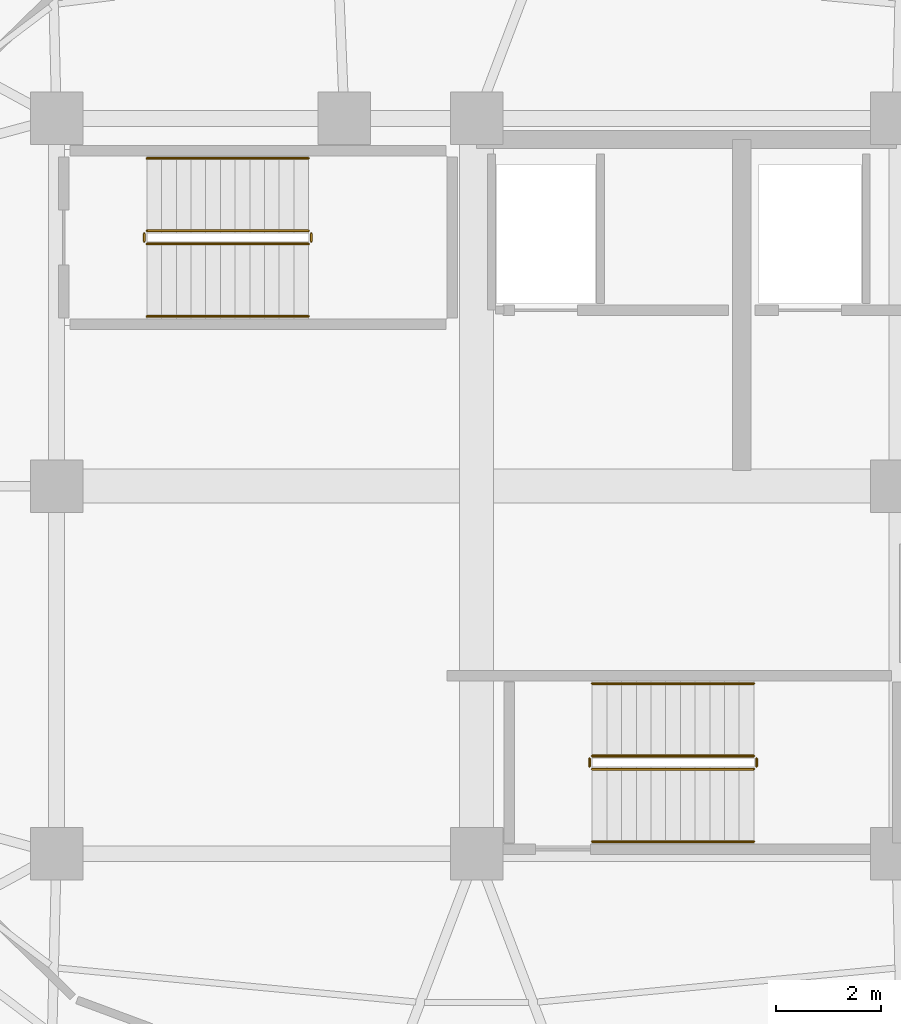
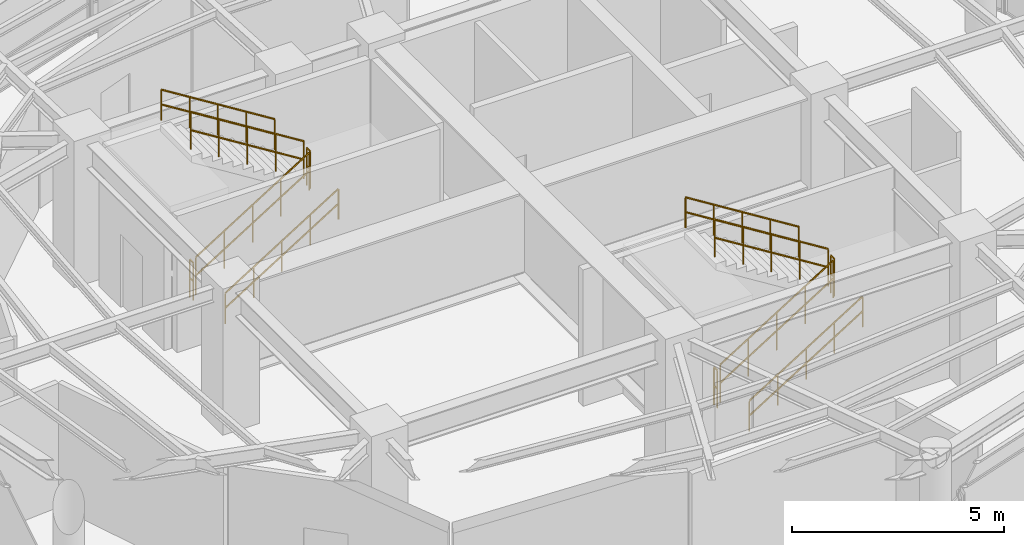
# One storey, part 19 of 19: 12 railings.
"""IFC4 building model written with IfcOpenShell, lengths in metres."""

from ifc_helpers import new_model, si_unit, direction, frame, origin, place, context, subcontext, project, spatial, polyline, outline, extrude, material, type_object, element, save


model = new_model("IFC4")

# Units and contexts
model_context = context("Model", 3, precision=1e-05, world=origin(), true_north=direction((0.0, 1.0)))
body_context = subcontext(model_context, "Body", "Model", "MODEL_VIEW")
ifc_project = project(units=[si_unit("LENGTHUNIT", "METRE"), si_unit("AREAUNIT", "SQUARE_METRE"), si_unit("VOLUMEUNIT", "CUBIC_METRE"), si_unit("PLANEANGLEUNIT", "RADIAN"), si_unit("MASSUNIT", "GRAM", prefix="KILO")], contexts=[model_context])

# Site, building, storey
site_placement = place(None, origin())
site = spatial("IfcSite", under=ifc_project, at=site_placement, CompositionType="ELEMENT")
building_placement = place(site_placement, origin())
building = spatial("IfcBuilding", under=site, at=building_placement, Name="Kelanora Arch Commons", CompositionType="ELEMENT")
storey_placement = place(building_placement, frame((0.0, 0.0, 306.89990234375)))
storey = spatial("IfcBuildingStorey", under=building, at=storey_placement, Name="L78", CompositionType="ELEMENT", Elevation=306.89990234375)

# Railings
ifc_material_1 = material(Name="Painted steel stair well guard", Category="steel")
railing_type_1 = type_object("IfcRailingType", Name="RAIL-STAIR-GRD", PredefinedType="GUARDRAIL", material=ifc_material_1)
railing_1_placement = place(storey_placement, frame((67.719970703125, 62.610107421875, 0.175048828125)))
element("IfcRailing", 1, at=railing_1_placement, inside=storey, type_object=railing_type_1, Name="L78 ST-T1 stair guard 1", PredefinedType="GUARDRAIL", context=body_context, shape_type="SweptSolid", body=[
    extrude(outline(polyline([(0.02392578125, 0.0), (0.011962890625, 0.020751953125), (-0.011962890625, 0.020751953125), (-0.02392578125, 0.0), (-0.011962890625, -0.020751953125), (0.011962890625, -0.020751953125), (0.02392578125, 0.0)])), frame((0.0, 0.0, 1.076171875), z_axis=(0.847998304005, 0.0, 0.529998940003), x_axis=(0.0, 1.0, 0.0)), (0.0, 0.0, 1.0), 3.632080078125),
    extrude(outline(polyline([(0.02392578125, 0.0), (0.011962890625, 0.020751953125), (-0.011962890625, 0.020751953125), (-0.02392578125, 0.0), (-0.011962890625, -0.020751953125), (0.011962890625, -0.020751953125), (0.02392578125, 0.0)])), frame((0.0, 0.0, 0.550048828125), z_axis=(0.847998304005, 0.0, 0.529998940003), x_axis=(0.0, 1.0, 0.0)), (0.0, 0.0, 1.0), 3.632080078125),
    extrude(outline(polyline([(0.02099609375, 0.0), (0.010498046875, 0.01806640625), (-0.010498046875, 0.01806640625), (-0.02099609375, 0.0), (-0.010498046875, -0.01806640625), (0.010498046875, -0.01806640625), (0.02099609375, 0.0)])), origin(), (0.0, 0.0, 1.0), 1.052001953125),
    extrude(outline(polyline([(0.02099609375, 0.0), (0.010498046875, 0.01806640625), (-0.010498046875, 0.01806640625), (-0.02099609375, 0.0), (-0.010498046875, -0.01806640625), (0.010498046875, -0.01806640625), (0.02099609375, 0.0)])), frame((0.77001953125, 0.0, 0.481201171875)), (0.0, 0.0, 1.0), 1.052001953125),
    extrude(outline(polyline([(0.02099609375, 0.0), (0.010498046875, 0.01806640625), (-0.010498046875, 0.01806640625), (-0.02099609375, 0.0), (-0.010498046875, -0.01806640625), (0.010498046875, -0.01806640625), (0.02099609375, 0.0)])), frame((1.5400390625, 0.0, 0.96240234375)), (0.0, 0.0, 1.0), 1.052001953125),
    extrude(outline(polyline([(0.02099609375, 0.0), (0.010498046875, 0.01806640625), (-0.010498046875, 0.01806640625), (-0.02099609375, 0.0), (-0.010498046875, -0.01806640625), (0.010498046875, -0.01806640625), (0.02099609375, 0.0)])), frame((2.31005859375, 0.0, 1.44384765625)), (0.0, 0.0, 1.0), 1.052001953125),
    extrude(outline(polyline([(0.02099609375, 0.0), (0.010498046875, 0.01806640625), (-0.010498046875, 0.01806640625), (-0.02099609375, 0.0), (-0.010498046875, -0.01806640625), (0.010498046875, -0.01806640625), (0.02099609375, 0.0)])), frame((3.080078125, 0.0, 1.925048828125)), (0.0, 0.0, 1.0), 1.052001953125),
])
railing_2_placement = place(storey_placement, frame((70.85009765625, 62.659912109375, 2.10009765625)))
element("IfcRailing", 2, at=railing_2_placement, inside=storey, type_object=railing_type_1, Name="L78 ST-T1 stair guard 2", PredefinedType="GUARDRAIL", context=body_context, shape_type="SweptSolid", body=[
    extrude(outline(polyline([(0.02392578125, 0.0), (0.011962890625, 0.020751953125), (-0.011962890625, 0.020751953125), (-0.02392578125, 0.0), (-0.011962890625, -0.020751953125), (0.011962890625, -0.020751953125), (0.02392578125, 0.0)])), frame((0.0, 0.0, 1.076171875), z_axis=(0.0, 1.0, 0.0), x_axis=(-1.0, 0.0, 0.0)), (0.0, 0.0, 1.0), 0.150146484375),
    extrude(outline(polyline([(0.02392578125, 0.0), (0.011962890625, 0.020751953125), (-0.011962890625, 0.020751953125), (-0.02392578125, 0.0), (-0.011962890625, -0.020751953125), (0.011962890625, -0.020751953125), (0.02392578125, 0.0)])), frame((0.0, 0.0, 0.550048828125), z_axis=(0.0, 1.0, 0.0), x_axis=(-1.0, 0.0, 0.0)), (0.0, 0.0, 1.0), 0.150146484375),
    extrude(outline(polyline([(0.02099609375, 0.0), (0.010498046875, 0.01806640625), (-0.010498046875, 0.01806640625), (-0.02099609375, 0.0), (-0.010498046875, -0.01806640625), (0.010498046875, -0.01806640625), (0.02099609375, 0.0)])), origin(), (0.0, 0.0, 1.0), 1.052001953125),
    extrude(outline(polyline([(0.02099609375, 0.0), (0.010498046875, 0.01806640625), (-0.010498046875, 0.01806640625), (-0.02099609375, 0.0), (-0.010498046875, -0.01806640625), (0.010498046875, -0.01806640625), (0.02099609375, 0.0)])), frame((0.0, 0.150146484375, 0.0)), (0.0, 0.0, 1.0), 1.052001953125),
])
railing_3_placement = place(storey_placement, frame((70.800048828125, 62.860107421875, 2.275146484375)))
element("IfcRailing", 3, at=railing_3_placement, inside=storey, type_object=railing_type_1, Name="L78 ST-T1 stair guard 3", PredefinedType="GUARDRAIL", context=body_context, shape_type="SweptSolid", body=[
    extrude(outline(polyline([(0.02392578125, 0.0), (0.011962890625, 0.020751953125), (-0.011962890625, 0.020751953125), (-0.02392578125, 0.0), (-0.011962890625, -0.020751953125), (0.011962890625, -0.020751953125), (0.02392578125, 0.0)])), frame((0.0, 0.0, 1.076171875), z_axis=(-0.847998304005, 0.0, 0.529998940003), x_axis=(0.0, -1.0, 0.0)), (0.0, 0.0, 1.0), 3.632080078125),
    extrude(outline(polyline([(0.02392578125, 0.0), (0.011962890625, 0.020751953125), (-0.011962890625, 0.020751953125), (-0.02392578125, 0.0), (-0.011962890625, -0.020751953125), (0.011962890625, -0.020751953125), (0.02392578125, 0.0)])), frame((0.0, 0.0, 0.550048828125), z_axis=(-0.847998304005, 0.0, 0.529998940003), x_axis=(0.0, -1.0, 0.0)), (0.0, 0.0, 1.0), 3.632080078125),
    extrude(outline(polyline([(0.02099609375, 0.0), (0.010498046875, 0.01806640625), (-0.010498046875, 0.01806640625), (-0.02099609375, 0.0), (-0.010498046875, -0.01806640625), (0.010498046875, -0.01806640625), (0.02099609375, 0.0)])), origin(), (0.0, 0.0, 1.0), 1.052001953125),
    extrude(outline(polyline([(0.02099609375, 0.0), (0.010498046875, 0.01806640625), (-0.010498046875, 0.01806640625), (-0.02099609375, 0.0), (-0.010498046875, -0.01806640625), (0.010498046875, -0.01806640625), (0.02099609375, 0.0)])), frame((-0.77001953125, 0.0, 0.481201171875)), (0.0, 0.0, 1.0), 1.052001953125),
    extrude(outline(polyline([(0.02099609375, 0.0), (0.010498046875, 0.01806640625), (-0.010498046875, 0.01806640625), (-0.02099609375, 0.0), (-0.010498046875, -0.01806640625), (0.010498046875, -0.01806640625), (0.02099609375, 0.0)])), frame((-1.5400390625, 0.0, 0.96240234375)), (0.0, 0.0, 1.0), 1.052001953125),
    extrude(outline(polyline([(0.02099609375, 0.0), (0.010498046875, 0.01806640625), (-0.010498046875, 0.01806640625), (-0.02099609375, 0.0), (-0.010498046875, -0.01806640625), (0.010498046875, -0.01806640625), (0.02099609375, 0.0)])), frame((-2.31005859375, 0.0, 1.44384765625)), (0.0, 0.0, 1.0), 1.052001953125),
    extrude(outline(polyline([(0.02099609375, 0.0), (0.010498046875, 0.01806640625), (-0.010498046875, 0.01806640625), (-0.02099609375, 0.0), (-0.010498046875, -0.01806640625), (0.010498046875, -0.01806640625), (0.02099609375, 0.0)])), frame((-3.080078125, 0.0, 1.925048828125)), (0.0, 0.0, 1.0), 1.052001953125),
])
railing_4_placement = place(storey_placement, frame((67.669921875, 62.659912109375, 0.0)))
element("IfcRailing", 4, at=railing_4_placement, inside=storey, type_object=railing_type_1, Name="L78 ST-T1 stair guard 4", PredefinedType="GUARDRAIL", context=body_context, shape_type="SweptSolid", body=[
    extrude(outline(polyline([(0.02392578125, 0.0), (0.011962890625, 0.020751953125), (-0.011962890625, 0.020751953125), (-0.02392578125, 0.0), (-0.011962890625, -0.020751953125), (0.011962890625, -0.020751953125), (0.02392578125, 0.0)])), frame((0.0, 0.0, 1.076171875), z_axis=(0.0, 1.0, 0.0), x_axis=(-1.0, 0.0, 0.0)), (0.0, 0.0, 1.0), 0.150146484375),
    extrude(outline(polyline([(0.02392578125, 0.0), (0.011962890625, 0.020751953125), (-0.011962890625, 0.020751953125), (-0.02392578125, 0.0), (-0.011962890625, -0.020751953125), (0.011962890625, -0.020751953125), (0.02392578125, 0.0)])), frame((0.0, 0.0, 0.550048828125), z_axis=(0.0, 1.0, 0.0), x_axis=(-1.0, 0.0, 0.0)), (0.0, 0.0, 1.0), 0.150146484375),
    extrude(outline(polyline([(0.02099609375, 0.0), (0.010498046875, 0.01806640625), (-0.010498046875, 0.01806640625), (-0.02099609375, 0.0), (-0.010498046875, -0.01806640625), (0.010498046875, -0.01806640625), (0.02099609375, 0.0)])), origin(), (0.0, 0.0, 1.0), 1.052001953125),
    extrude(outline(polyline([(0.02099609375, 0.0), (0.010498046875, 0.01806640625), (-0.010498046875, 0.01806640625), (-0.02099609375, 0.0), (-0.010498046875, -0.01806640625), (0.010498046875, -0.01806640625), (0.02099609375, 0.0)])), frame((0.0, 0.150146484375, 0.0)), (0.0, 0.0, 1.0), 1.052001953125),
])
railing_5_placement = place(storey_placement, frame((76.199951171875, 52.610107421875, 0.175048828125)))
element("IfcRailing", 5, at=railing_5_placement, inside=storey, type_object=railing_type_1, Name="L78 ST-T2 stair guard 1", PredefinedType="GUARDRAIL", context=body_context, shape_type="SweptSolid", body=[
    extrude(outline(polyline([(0.02392578125, 0.0), (0.011962890625, 0.020751953125), (-0.011962890625, 0.020751953125), (-0.02392578125, 0.0), (-0.011962890625, -0.020751953125), (0.011962890625, -0.020751953125), (0.02392578125, 0.0)])), frame((0.0, 0.0, 1.076171875), z_axis=(0.847998304005, 0.0, 0.529998940003), x_axis=(0.0, 1.0, 0.0)), (0.0, 0.0, 1.0), 3.632080078125),
    extrude(outline(polyline([(0.02392578125, 0.0), (0.011962890625, 0.020751953125), (-0.011962890625, 0.020751953125), (-0.02392578125, 0.0), (-0.011962890625, -0.020751953125), (0.011962890625, -0.020751953125), (0.02392578125, 0.0)])), frame((0.0, 0.0, 0.550048828125), z_axis=(0.847998304005, 0.0, 0.529998940003), x_axis=(0.0, 1.0, 0.0)), (0.0, 0.0, 1.0), 3.632080078125),
    extrude(outline(polyline([(0.02099609375, 0.0), (0.010498046875, 0.01806640625), (-0.010498046875, 0.01806640625), (-0.02099609375, 0.0), (-0.010498046875, -0.01806640625), (0.010498046875, -0.01806640625), (0.02099609375, 0.0)])), origin(), (0.0, 0.0, 1.0), 1.052001953125),
    extrude(outline(polyline([(0.02099609375, 0.0), (0.010498046875, 0.01806640625), (-0.010498046875, 0.01806640625), (-0.02099609375, 0.0), (-0.010498046875, -0.01806640625), (0.010498046875, -0.01806640625), (0.02099609375, 0.0)])), frame((0.77001953125, 0.0, 0.481201171875)), (0.0, 0.0, 1.0), 1.052001953125),
    extrude(outline(polyline([(0.02099609375, 0.0), (0.010498046875, 0.01806640625), (-0.010498046875, 0.01806640625), (-0.02099609375, 0.0), (-0.010498046875, -0.01806640625), (0.010498046875, -0.01806640625), (0.02099609375, 0.0)])), frame((1.5400390625, 0.0, 0.96240234375)), (0.0, 0.0, 1.0), 1.052001953125),
    extrude(outline(polyline([(0.02099609375, 0.0), (0.010498046875, 0.01806640625), (-0.010498046875, 0.01806640625), (-0.02099609375, 0.0), (-0.010498046875, -0.01806640625), (0.010498046875, -0.01806640625), (0.02099609375, 0.0)])), frame((2.31005859375, 0.0, 1.44384765625)), (0.0, 0.0, 1.0), 1.052001953125),
    extrude(outline(polyline([(0.02099609375, 0.0), (0.010498046875, 0.01806640625), (-0.010498046875, 0.01806640625), (-0.02099609375, 0.0), (-0.010498046875, -0.01806640625), (0.010498046875, -0.01806640625), (0.02099609375, 0.0)])), frame((3.080078125, 0.0, 1.925048828125)), (0.0, 0.0, 1.0), 1.052001953125),
])
railing_6_placement = place(storey_placement, frame((79.330078125, 52.659912109375, 2.10009765625)))
element("IfcRailing", 6, at=railing_6_placement, inside=storey, type_object=railing_type_1, Name="L78 ST-T2 stair guard 2", PredefinedType="GUARDRAIL", context=body_context, shape_type="SweptSolid", body=[
    extrude(outline(polyline([(0.02392578125, 0.0), (0.011962890625, 0.020751953125), (-0.011962890625, 0.020751953125), (-0.02392578125, 0.0), (-0.011962890625, -0.020751953125), (0.011962890625, -0.020751953125), (0.02392578125, 0.0)])), frame((0.0, 0.0, 1.076171875), z_axis=(0.0, 1.0, 0.0), x_axis=(-1.0, 0.0, 0.0)), (0.0, 0.0, 1.0), 0.150146484375),
    extrude(outline(polyline([(0.02392578125, 0.0), (0.011962890625, 0.020751953125), (-0.011962890625, 0.020751953125), (-0.02392578125, 0.0), (-0.011962890625, -0.020751953125), (0.011962890625, -0.020751953125), (0.02392578125, 0.0)])), frame((0.0, 0.0, 0.550048828125), z_axis=(0.0, 1.0, 0.0), x_axis=(-1.0, 0.0, 0.0)), (0.0, 0.0, 1.0), 0.150146484375),
    extrude(outline(polyline([(0.02099609375, 0.0), (0.010498046875, 0.01806640625), (-0.010498046875, 0.01806640625), (-0.02099609375, 0.0), (-0.010498046875, -0.01806640625), (0.010498046875, -0.01806640625), (0.02099609375, 0.0)])), origin(), (0.0, 0.0, 1.0), 1.052001953125),
    extrude(outline(polyline([(0.02099609375, 0.0), (0.010498046875, 0.01806640625), (-0.010498046875, 0.01806640625), (-0.02099609375, 0.0), (-0.010498046875, -0.01806640625), (0.010498046875, -0.01806640625), (0.02099609375, 0.0)])), frame((0.0, 0.150146484375, 0.0)), (0.0, 0.0, 1.0), 1.052001953125),
])
railing_7_placement = place(storey_placement, frame((79.280029296875, 52.860107421875, 2.275146484375)))
element("IfcRailing", 7, at=railing_7_placement, inside=storey, type_object=railing_type_1, Name="L78 ST-T2 stair guard 3", PredefinedType="GUARDRAIL", context=body_context, shape_type="SweptSolid", body=[
    extrude(outline(polyline([(0.02392578125, 0.0), (0.011962890625, 0.020751953125), (-0.011962890625, 0.020751953125), (-0.02392578125, 0.0), (-0.011962890625, -0.020751953125), (0.011962890625, -0.020751953125), (0.02392578125, 0.0)])), frame((0.0, 0.0, 1.076171875), z_axis=(-0.847998304005, 0.0, 0.529998940003), x_axis=(0.0, -1.0, 0.0)), (0.0, 0.0, 1.0), 3.632080078125),
    extrude(outline(polyline([(0.02392578125, 0.0), (0.011962890625, 0.020751953125), (-0.011962890625, 0.020751953125), (-0.02392578125, 0.0), (-0.011962890625, -0.020751953125), (0.011962890625, -0.020751953125), (0.02392578125, 0.0)])), frame((0.0, 0.0, 0.550048828125), z_axis=(-0.847998304005, 0.0, 0.529998940003), x_axis=(0.0, -1.0, 0.0)), (0.0, 0.0, 1.0), 3.632080078125),
    extrude(outline(polyline([(0.02099609375, 0.0), (0.010498046875, 0.01806640625), (-0.010498046875, 0.01806640625), (-0.02099609375, 0.0), (-0.010498046875, -0.01806640625), (0.010498046875, -0.01806640625), (0.02099609375, 0.0)])), origin(), (0.0, 0.0, 1.0), 1.052001953125),
    extrude(outline(polyline([(0.02099609375, 0.0), (0.010498046875, 0.01806640625), (-0.010498046875, 0.01806640625), (-0.02099609375, 0.0), (-0.010498046875, -0.01806640625), (0.010498046875, -0.01806640625), (0.02099609375, 0.0)])), frame((-0.77001953125, 0.0, 0.481201171875)), (0.0, 0.0, 1.0), 1.052001953125),
    extrude(outline(polyline([(0.02099609375, 0.0), (0.010498046875, 0.01806640625), (-0.010498046875, 0.01806640625), (-0.02099609375, 0.0), (-0.010498046875, -0.01806640625), (0.010498046875, -0.01806640625), (0.02099609375, 0.0)])), frame((-1.5400390625, 0.0, 0.96240234375)), (0.0, 0.0, 1.0), 1.052001953125),
    extrude(outline(polyline([(0.02099609375, 0.0), (0.010498046875, 0.01806640625), (-0.010498046875, 0.01806640625), (-0.02099609375, 0.0), (-0.010498046875, -0.01806640625), (0.010498046875, -0.01806640625), (0.02099609375, 0.0)])), frame((-2.31005859375, 0.0, 1.44384765625)), (0.0, 0.0, 1.0), 1.052001953125),
    extrude(outline(polyline([(0.02099609375, 0.0), (0.010498046875, 0.01806640625), (-0.010498046875, 0.01806640625), (-0.02099609375, 0.0), (-0.010498046875, -0.01806640625), (0.010498046875, -0.01806640625), (0.02099609375, 0.0)])), frame((-3.080078125, 0.0, 1.925048828125)), (0.0, 0.0, 1.0), 1.052001953125),
])
railing_8_placement = place(storey_placement, frame((76.14990234375, 52.659912109375, 0.0)))
element("IfcRailing", 8, at=railing_8_placement, inside=storey, type_object=railing_type_1, Name="L78 ST-T2 stair guard 4", PredefinedType="GUARDRAIL", context=body_context, shape_type="SweptSolid", body=[
    extrude(outline(polyline([(0.02392578125, 0.0), (0.011962890625, 0.020751953125), (-0.011962890625, 0.020751953125), (-0.02392578125, 0.0), (-0.011962890625, -0.020751953125), (0.011962890625, -0.020751953125), (0.02392578125, 0.0)])), frame((0.0, 0.0, 1.076171875), z_axis=(0.0, 1.0, 0.0), x_axis=(-1.0, 0.0, 0.0)), (0.0, 0.0, 1.0), 0.150146484375),
    extrude(outline(polyline([(0.02392578125, 0.0), (0.011962890625, 0.020751953125), (-0.011962890625, 0.020751953125), (-0.02392578125, 0.0), (-0.011962890625, -0.020751953125), (0.011962890625, -0.020751953125), (0.02392578125, 0.0)])), frame((0.0, 0.0, 0.550048828125), z_axis=(0.0, 1.0, 0.0), x_axis=(-1.0, 0.0, 0.0)), (0.0, 0.0, 1.0), 0.150146484375),
    extrude(outline(polyline([(0.02099609375, 0.0), (0.010498046875, 0.01806640625), (-0.010498046875, 0.01806640625), (-0.02099609375, 0.0), (-0.010498046875, -0.01806640625), (0.010498046875, -0.01806640625), (0.02099609375, 0.0)])), origin(), (0.0, 0.0, 1.0), 1.052001953125),
    extrude(outline(polyline([(0.02099609375, 0.0), (0.010498046875, 0.01806640625), (-0.010498046875, 0.01806640625), (-0.02099609375, 0.0), (-0.010498046875, -0.01806640625), (0.010498046875, -0.01806640625), (0.02099609375, 0.0)])), frame((0.0, 0.150146484375, 0.0)), (0.0, 0.0, 1.0), 1.052001953125),
])
ifc_material_2 = material(Name="Brushed stainless steel stair handrail", Category="steel")
railing_type_2 = type_object("IfcRailingType", Name="RAIL-STAIR-HND", PredefinedType="HANDRAIL", material=ifc_material_2)
railing_9_placement = place(storey_placement, frame((67.719970703125, 61.22998046875, 0.175048828125)))
element("IfcRailing", 9, at=railing_9_placement, inside=storey, type_object=railing_type_2, Name="L78 ST-T1 stair handrail 1", PredefinedType="HANDRAIL", context=body_context, shape_type="SweptSolid", body=[
    extrude(outline(polyline([(0.02392578125, 0.0), (0.011962890625, 0.020751953125), (-0.011962890625, 0.020751953125), (-0.02392578125, 0.0), (-0.011962890625, -0.020751953125), (0.011962890625, -0.020751953125), (0.02392578125, 0.0)])), frame((0.0, 0.0, 0.8759765625), z_axis=(0.847998304005, 0.0, 0.529998940003), x_axis=(0.0, 1.0, 0.0)), (0.0, 0.0, 1.0), 3.632080078125),
    extrude(outline(polyline([(0.02392578125, 0.0), (0.011962890625, 0.020751953125), (-0.011962890625, 0.020751953125), (-0.02392578125, 0.0), (-0.011962890625, -0.020751953125), (0.011962890625, -0.020751953125), (0.02392578125, 0.0)])), frame((0.0, 0.0, 0.449951171875), z_axis=(0.847998304005, 0.0, 0.529998940003), x_axis=(0.0, 1.0, 0.0)), (0.0, 0.0, 1.0), 3.632080078125),
    extrude(outline(polyline([(0.02099609375, 0.0), (0.010498046875, 0.01806640625), (-0.010498046875, 0.01806640625), (-0.02099609375, 0.0), (-0.010498046875, -0.01806640625), (0.010498046875, -0.01806640625), (0.02099609375, 0.0)])), origin(), (0.0, 0.0, 1.0), 0.851806640625),
    extrude(outline(polyline([(0.02099609375, 0.0), (0.010498046875, 0.01806640625), (-0.010498046875, 0.01806640625), (-0.02099609375, 0.0), (-0.010498046875, -0.01806640625), (0.010498046875, -0.01806640625), (0.02099609375, 0.0)])), frame((0.77001953125, 0.0, 0.481201171875)), (0.0, 0.0, 1.0), 0.851806640625),
    extrude(outline(polyline([(0.02099609375, 0.0), (0.010498046875, 0.01806640625), (-0.010498046875, 0.01806640625), (-0.02099609375, 0.0), (-0.010498046875, -0.01806640625), (0.010498046875, -0.01806640625), (0.02099609375, 0.0)])), frame((1.5400390625, 0.0, 0.96240234375)), (0.0, 0.0, 1.0), 0.851806640625),
    extrude(outline(polyline([(0.02099609375, 0.0), (0.010498046875, 0.01806640625), (-0.010498046875, 0.01806640625), (-0.02099609375, 0.0), (-0.010498046875, -0.01806640625), (0.010498046875, -0.01806640625), (0.02099609375, 0.0)])), frame((2.31005859375, 0.0, 1.44384765625)), (0.0, 0.0, 1.0), 0.851806640625),
    extrude(outline(polyline([(0.02099609375, 0.0), (0.010498046875, 0.01806640625), (-0.010498046875, 0.01806640625), (-0.02099609375, 0.0), (-0.010498046875, -0.01806640625), (0.010498046875, -0.01806640625), (0.02099609375, 0.0)])), frame((3.080078125, 0.0, 1.925048828125)), (0.0, 0.0, 1.0), 0.851806640625),
])
railing_10_placement = place(storey_placement, frame((70.800048828125, 64.239990234375, 2.275146484375)))
element("IfcRailing", 10, at=railing_10_placement, inside=storey, type_object=railing_type_2, Name="L78 ST-T1 stair handrail 2", PredefinedType="HANDRAIL", context=body_context, shape_type="SweptSolid", body=[
    extrude(outline(polyline([(0.02392578125, 0.0), (0.011962890625, 0.020751953125), (-0.011962890625, 0.020751953125), (-0.02392578125, 0.0), (-0.011962890625, -0.020751953125), (0.011962890625, -0.020751953125), (0.02392578125, 0.0)])), frame((0.0, 0.0, 0.8759765625), z_axis=(-0.847998304005, 0.0, 0.529998940003), x_axis=(0.0, -1.0, 0.0)), (0.0, 0.0, 1.0), 3.632080078125),
    extrude(outline(polyline([(0.02392578125, 0.0), (0.011962890625, 0.020751953125), (-0.011962890625, 0.020751953125), (-0.02392578125, 0.0), (-0.011962890625, -0.020751953125), (0.011962890625, -0.020751953125), (0.02392578125, 0.0)])), frame((0.0, 0.0, 0.449951171875), z_axis=(-0.847998304005, 0.0, 0.529998940003), x_axis=(0.0, -1.0, 0.0)), (0.0, 0.0, 1.0), 3.632080078125),
    extrude(outline(polyline([(0.02099609375, 0.0), (0.010498046875, 0.01806640625), (-0.010498046875, 0.01806640625), (-0.02099609375, 0.0), (-0.010498046875, -0.01806640625), (0.010498046875, -0.01806640625), (0.02099609375, 0.0)])), origin(), (0.0, 0.0, 1.0), 0.851806640625),
    extrude(outline(polyline([(0.02099609375, 0.0), (0.010498046875, 0.01806640625), (-0.010498046875, 0.01806640625), (-0.02099609375, 0.0), (-0.010498046875, -0.01806640625), (0.010498046875, -0.01806640625), (0.02099609375, 0.0)])), frame((-0.77001953125, 0.0, 0.481201171875)), (0.0, 0.0, 1.0), 0.851806640625),
    extrude(outline(polyline([(0.02099609375, 0.0), (0.010498046875, 0.01806640625), (-0.010498046875, 0.01806640625), (-0.02099609375, 0.0), (-0.010498046875, -0.01806640625), (0.010498046875, -0.01806640625), (0.02099609375, 0.0)])), frame((-1.5400390625, 0.0, 0.96240234375)), (0.0, 0.0, 1.0), 0.851806640625),
    extrude(outline(polyline([(0.02099609375, 0.0), (0.010498046875, 0.01806640625), (-0.010498046875, 0.01806640625), (-0.02099609375, 0.0), (-0.010498046875, -0.01806640625), (0.010498046875, -0.01806640625), (0.02099609375, 0.0)])), frame((-2.31005859375, 0.0, 1.44384765625)), (0.0, 0.0, 1.0), 0.851806640625),
    extrude(outline(polyline([(0.02099609375, 0.0), (0.010498046875, 0.01806640625), (-0.010498046875, 0.01806640625), (-0.02099609375, 0.0), (-0.010498046875, -0.01806640625), (0.010498046875, -0.01806640625), (0.02099609375, 0.0)])), frame((-3.080078125, 0.0, 1.925048828125)), (0.0, 0.0, 1.0), 0.851806640625),
])
railing_11_placement = place(storey_placement, frame((76.199951171875, 51.22998046875, 0.175048828125)))
element("IfcRailing", 11, at=railing_11_placement, inside=storey, type_object=railing_type_2, Name="L78 ST-T2 stair handrail 1", PredefinedType="HANDRAIL", context=body_context, shape_type="SweptSolid", body=[
    extrude(outline(polyline([(0.02392578125, 0.0), (0.011962890625, 0.020751953125), (-0.011962890625, 0.020751953125), (-0.02392578125, 0.0), (-0.011962890625, -0.020751953125), (0.011962890625, -0.020751953125), (0.02392578125, 0.0)])), frame((0.0, 0.0, 0.8759765625), z_axis=(0.847998304005, 0.0, 0.529998940003), x_axis=(0.0, 1.0, 0.0)), (0.0, 0.0, 1.0), 3.632080078125),
    extrude(outline(polyline([(0.02392578125, 0.0), (0.011962890625, 0.020751953125), (-0.011962890625, 0.020751953125), (-0.02392578125, 0.0), (-0.011962890625, -0.020751953125), (0.011962890625, -0.020751953125), (0.02392578125, 0.0)])), frame((0.0, 0.0, 0.449951171875), z_axis=(0.847998304005, 0.0, 0.529998940003), x_axis=(0.0, 1.0, 0.0)), (0.0, 0.0, 1.0), 3.632080078125),
    extrude(outline(polyline([(0.02099609375, 0.0), (0.010498046875, 0.01806640625), (-0.010498046875, 0.01806640625), (-0.02099609375, 0.0), (-0.010498046875, -0.01806640625), (0.010498046875, -0.01806640625), (0.02099609375, 0.0)])), origin(), (0.0, 0.0, 1.0), 0.851806640625),
    extrude(outline(polyline([(0.02099609375, 0.0), (0.010498046875, 0.01806640625), (-0.010498046875, 0.01806640625), (-0.02099609375, 0.0), (-0.010498046875, -0.01806640625), (0.010498046875, -0.01806640625), (0.02099609375, 0.0)])), frame((0.77001953125, 0.0, 0.481201171875)), (0.0, 0.0, 1.0), 0.851806640625),
    extrude(outline(polyline([(0.02099609375, 0.0), (0.010498046875, 0.01806640625), (-0.010498046875, 0.01806640625), (-0.02099609375, 0.0), (-0.010498046875, -0.01806640625), (0.010498046875, -0.01806640625), (0.02099609375, 0.0)])), frame((1.5400390625, 0.0, 0.96240234375)), (0.0, 0.0, 1.0), 0.851806640625),
    extrude(outline(polyline([(0.02099609375, 0.0), (0.010498046875, 0.01806640625), (-0.010498046875, 0.01806640625), (-0.02099609375, 0.0), (-0.010498046875, -0.01806640625), (0.010498046875, -0.01806640625), (0.02099609375, 0.0)])), frame((2.31005859375, 0.0, 1.44384765625)), (0.0, 0.0, 1.0), 0.851806640625),
    extrude(outline(polyline([(0.02099609375, 0.0), (0.010498046875, 0.01806640625), (-0.010498046875, 0.01806640625), (-0.02099609375, 0.0), (-0.010498046875, -0.01806640625), (0.010498046875, -0.01806640625), (0.02099609375, 0.0)])), frame((3.080078125, 0.0, 1.925048828125)), (0.0, 0.0, 1.0), 0.851806640625),
])
railing_12_placement = place(storey_placement, frame((79.280029296875, 54.239990234375, 2.275146484375)))
element("IfcRailing", 12, at=railing_12_placement, inside=storey, type_object=railing_type_2, Name="L78 ST-T2 stair handrail 2", PredefinedType="HANDRAIL", context=body_context, shape_type="SweptSolid", body=[
    extrude(outline(polyline([(0.02392578125, 0.0), (0.011962890625, 0.020751953125), (-0.011962890625, 0.020751953125), (-0.02392578125, 0.0), (-0.011962890625, -0.020751953125), (0.011962890625, -0.020751953125), (0.02392578125, 0.0)])), frame((0.0, 0.0, 0.8759765625), z_axis=(-0.847998304005, 0.0, 0.529998940003), x_axis=(0.0, -1.0, 0.0)), (0.0, 0.0, 1.0), 3.632080078125),
    extrude(outline(polyline([(0.02392578125, 0.0), (0.011962890625, 0.020751953125), (-0.011962890625, 0.020751953125), (-0.02392578125, 0.0), (-0.011962890625, -0.020751953125), (0.011962890625, -0.020751953125), (0.02392578125, 0.0)])), frame((0.0, 0.0, 0.449951171875), z_axis=(-0.847998304005, 0.0, 0.529998940003), x_axis=(0.0, -1.0, 0.0)), (0.0, 0.0, 1.0), 3.632080078125),
    extrude(outline(polyline([(0.02099609375, 0.0), (0.010498046875, 0.01806640625), (-0.010498046875, 0.01806640625), (-0.02099609375, 0.0), (-0.010498046875, -0.01806640625), (0.010498046875, -0.01806640625), (0.02099609375, 0.0)])), origin(), (0.0, 0.0, 1.0), 0.851806640625),
    extrude(outline(polyline([(0.02099609375, 0.0), (0.010498046875, 0.01806640625), (-0.010498046875, 0.01806640625), (-0.02099609375, 0.0), (-0.010498046875, -0.01806640625), (0.010498046875, -0.01806640625), (0.02099609375, 0.0)])), frame((-0.77001953125, 0.0, 0.481201171875)), (0.0, 0.0, 1.0), 0.851806640625),
    extrude(outline(polyline([(0.02099609375, 0.0), (0.010498046875, 0.01806640625), (-0.010498046875, 0.01806640625), (-0.02099609375, 0.0), (-0.010498046875, -0.01806640625), (0.010498046875, -0.01806640625), (0.02099609375, 0.0)])), frame((-1.5400390625, 0.0, 0.96240234375)), (0.0, 0.0, 1.0), 0.851806640625),
    extrude(outline(polyline([(0.02099609375, 0.0), (0.010498046875, 0.01806640625), (-0.010498046875, 0.01806640625), (-0.02099609375, 0.0), (-0.010498046875, -0.01806640625), (0.010498046875, -0.01806640625), (0.02099609375, 0.0)])), frame((-2.31005859375, 0.0, 1.44384765625)), (0.0, 0.0, 1.0), 0.851806640625),
    extrude(outline(polyline([(0.02099609375, 0.0), (0.010498046875, 0.01806640625), (-0.010498046875, 0.01806640625), (-0.02099609375, 0.0), (-0.010498046875, -0.01806640625), (0.010498046875, -0.01806640625), (0.02099609375, 0.0)])), frame((-3.080078125, 0.0, 1.925048828125)), (0.0, 0.0, 1.0), 0.851806640625),
])

save(model, "model.ifc")
